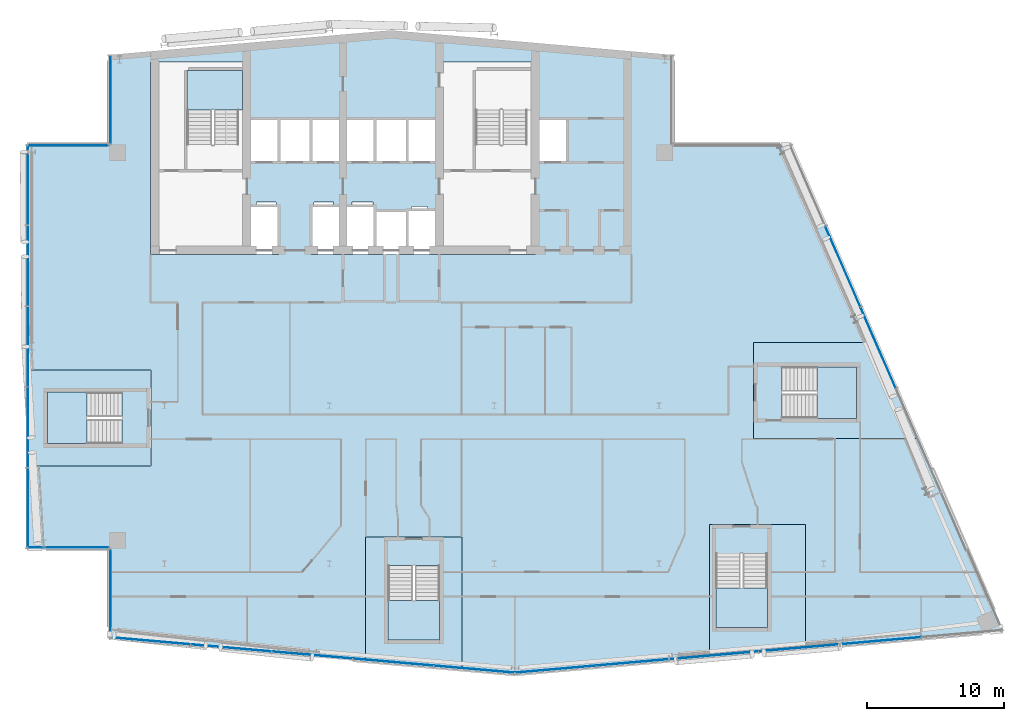
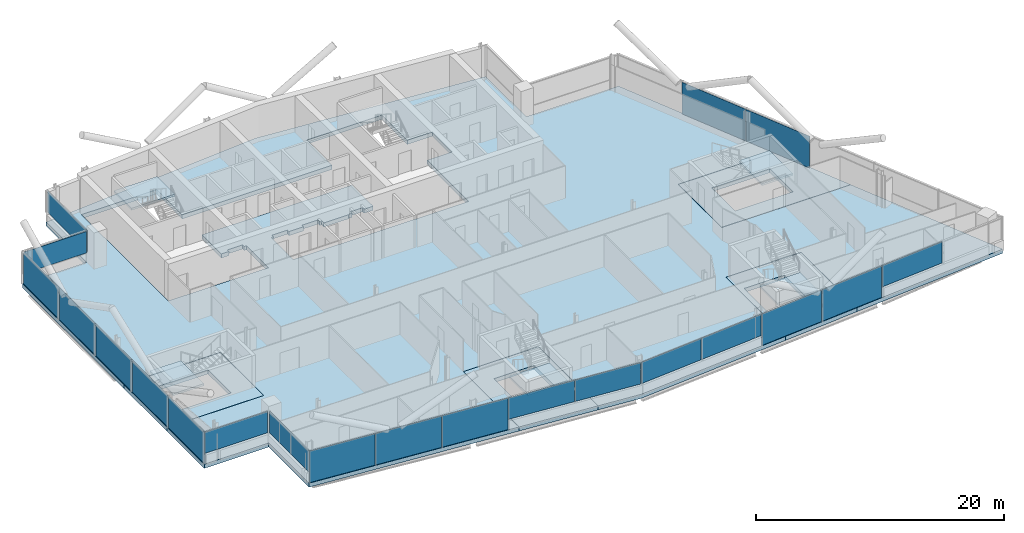
# One storey, part 13 of 27: 21 plates, 10 slabs, 13 elements without a shape of their own.
"""IFC4 building model written with IfcOpenShell, lengths in metres."""

from ifc_helpers import new_model, si_unit, direction, frame, origin, origin_2d, place, context, subcontext, project, spatial, polyline, rectangle, outline, extrude, material, layer, layer_set, type_object, element, aggregate, save


model = new_model("IFC4")

# Units and contexts
model_context = context("Model", 3, precision=1e-05, world=origin(), true_north=direction((0.0, 1.0)))
body_context = subcontext(model_context, "Body", "Model", "MODEL_VIEW")
ifc_project = project(units=[si_unit("LENGTHUNIT", "METRE"), si_unit("AREAUNIT", "SQUARE_METRE"), si_unit("VOLUMEUNIT", "CUBIC_METRE"), si_unit("PLANEANGLEUNIT", "RADIAN"), si_unit("MASSUNIT", "GRAM", prefix="KILO")], contexts=[model_context])

# Site, building, storey
site_placement = place(None, origin())
site = spatial("IfcSite", under=ifc_project, at=site_placement, CompositionType="ELEMENT")
building_placement = place(site_placement, origin())
building = spatial("IfcBuilding", under=site, at=building_placement, Name="Wharfspan Tower", CompositionType="ELEMENT")
storey_placement = place(building_placement, frame((0.0, 0.0, 243.100098)))
storey = spatial("IfcBuildingStorey", under=building, at=storey_placement, Name="L61", CompositionType="ELEMENT", Elevation=243.100098)

# Curtain wall, plates
ifc_material_1 = material(Name="Aluminium 6063-T6", Category="aluminium")
curtain_wall_type_1 = type_object("IfcCurtainWallType", Name="CURTAIN WALL FACETED FRONT", PredefinedType="NOTDEFINED", material=ifc_material_1)
curtain_wall_1_placement = place(storey_placement, origin())
curtain_wall_1 = element("IfcCurtainWall", 1, at=curtain_wall_1_placement, inside=storey, type_object=curtain_wall_type_1, Name="Curtain wall S1", PredefinedType="NOTDEFINED")
ifc_material_2 = material(Name="Glass clear low-iron double glazing", Category="glass")
ifc_layer_1 = layer(ifc_material_2, 0.040039)
ifc_layer_set_1 = layer_set([ifc_layer_1], Name="Glass clear low-iron double glazing")
plate_type_1 = type_object("IfcPlateType", Name="GLASS PANEL FACETED FRONT 40", PredefinedType="CURTAIN_PANEL", material=ifc_layer_set_1)
plate_1_placement = place(storey_placement, frame((40.655273, 4.328125, 0.999756), z_axis=(0.0, 0.0, 1.0), x_axis=(0.996197, -0.087156, 0.0)))
plate_1 = element("IfcPlate", 2, at=plate_1_placement, type_object=plate_type_1, Name="Curtain wall S1 panel 4", PredefinedType="CURTAIN_PANEL", context=body_context, shape_type="SweptSolid", body=[
    extrude(rectangle(XDim=5.862549, YDim=0.040039, at=origin_2d()), origin(), (0.0, 0.0, 1.0), 2.120117),
])
plate_2_placement = place(storey_placement, frame((46.540283, 3.813232, 0.999756), z_axis=(0.0, 0.0, 1.0), x_axis=(0.996197, -0.087156, 0.0)))
plate_2 = element("IfcPlate", 3, at=plate_2_placement, type_object=plate_type_1, Name="Curtain wall S1 panel 5", PredefinedType="CURTAIN_PANEL", context=body_context, shape_type="SweptSolid", body=[
    extrude(rectangle(XDim=5.83252, YDim=0.040039, at=origin_2d()), origin(), (0.0, 0.0, 1.0), 2.120117),
])

curtain_wall_2_placement = place(storey_placement, origin())
curtain_wall_2 = element("IfcCurtainWall", 4, at=curtain_wall_2_placement, inside=storey, type_object=curtain_wall_type_1, Name="Curtain wall S2", PredefinedType="NOTDEFINED")
plate_3_placement = place(storey_placement, frame((52.468018, 3.813965, 0.999756), z_axis=(0.0, 0.0, 1.0), x_axis=(0.996197, 0.087156, 0.0)))
plate_3 = element("IfcPlate", 5, at=plate_3_placement, type_object=plate_type_1, Name="Curtain wall S2 panel 1", PredefinedType="CURTAIN_PANEL", context=body_context, shape_type="SweptSolid", body=[
    extrude(rectangle(XDim=5.849365, YDim=0.040039, at=origin_2d()), origin(), (0.0, 0.0, 1.0), 2.120117),
])
plate_4_placement = place(storey_placement, frame((58.369873, 4.330322, 0.999756), z_axis=(0.0, 0.0, 1.0), x_axis=(0.996197, 0.087156, 0.0)))
plate_4 = element("IfcPlate", 6, at=plate_4_placement, type_object=plate_type_1, Name="Curtain wall S2 panel 2", PredefinedType="CURTAIN_PANEL", context=body_context, shape_type="SweptSolid", body=[
    extrude(rectangle(XDim=5.87915, YDim=0.040039, at=origin_2d()), origin(), (0.0, 0.0, 1.0), 2.120117),
])
plate_5_placement = place(storey_placement, frame((76.119873, 5.883301, 0.999756), z_axis=(0.0, 0.0, 1.0), x_axis=(0.996197, 0.087156, 0.0)))
plate_5 = element("IfcPlate", 7, at=plate_5_placement, type_object=plate_type_1, Name="Curtain wall S2 panel 5", PredefinedType="CURTAIN_PANEL", context=body_context, shape_type="SweptSolid", body=[
    extrude(rectangle(XDim=5.87915, YDim=0.040039, at=origin_2d()), origin(), (0.0, 0.0, 1.0), 2.120117),
])

# Curtain wall, plate
curtain_wall_type_2 = type_object("IfcCurtainWallType", Name="CURTAIN WALL PROW AND END", PredefinedType="NOTDEFINED", material=ifc_material_1)
curtain_wall_3_placement = place(storey_placement, origin())
curtain_wall_3 = element("IfcCurtainWall", 8, at=curtain_wall_3_placement, inside=storey, type_object=curtain_wall_type_2, Name="Curtain wall NRW-V", PredefinedType="NOTDEFINED")
ifc_layer_2 = layer(ifc_material_2, 0.040039)
ifc_layer_set_2 = layer_set([ifc_layer_2], Name="Glass clear low-iron double glazing")
plate_type_2 = type_object("IfcPlateType", Name="GLASS PANEL PROW AND END 40", PredefinedType="CURTAIN_PANEL", material=ifc_layer_set_2)
plate_6_placement = place(storey_placement, frame((20.080078, 45.262451, 0.999756), z_axis=(0.0, 0.0, 1.0), x_axis=(0.0, -1.0, 0.0)))
plate_6 = element("IfcPlate", 9, at=plate_6_placement, type_object=plate_type_2, Name="Curtain wall NRW-V panel 1", PredefinedType="CURTAIN_PANEL", context=body_context, shape_type="SweptSolid", body=[
    extrude(rectangle(XDim=6.405029, YDim=0.040039, at=origin_2d()), origin(), (0.0, 0.0, 1.0), 2.120117),
])
aggregate(curtain_wall_3, [plate_6])

curtain_wall_4_placement = place(storey_placement, origin())
curtain_wall_4 = element("IfcCurtainWall", 10, at=curtain_wall_4_placement, inside=storey, type_object=curtain_wall_type_2, Name="Curtain wall NRW-H", PredefinedType="NOTDEFINED")
plate_7_placement = place(storey_placement, frame((17.0, 41.919922, 0.999756), z_axis=(0.0, 0.0, 1.0), x_axis=(-1.0, 0.0, 0.0)))
plate_7 = element("IfcPlate", 11, at=plate_7_placement, type_object=plate_type_2, Name="Curtain wall NRW-H panel 1", PredefinedType="CURTAIN_PANEL", context=body_context, shape_type="SweptSolid", body=[
    extrude(rectangle(XDim=5.879883, YDim=0.040039, at=origin_2d()), origin(), (0.0, 0.0, 1.0), 2.120117),
])
aggregate(curtain_wall_4, [plate_7])

curtain_wall_5_placement = place(storey_placement, origin())
curtain_wall_5 = element("IfcCurtainWall", 12, at=curtain_wall_5_placement, inside=storey, type_object=curtain_wall_type_2, Name="Curtain wall NFW-H", PredefinedType="NOTDEFINED")
plate_8_placement = place(storey_placement, frame((17.0, 12.679932, 0.999756), z_axis=(0.0, 0.0, 1.0), x_axis=(1.0, 0.0, 0.0)))
plate_8 = element("IfcPlate", 13, at=plate_8_placement, type_object=plate_type_2, Name="Curtain wall NFW-H panel 1", PredefinedType="CURTAIN_PANEL", context=body_context, shape_type="SweptSolid", body=[
    extrude(rectangle(XDim=5.879883, YDim=0.040039, at=origin_2d()), origin(), (0.0, 0.0, 1.0), 2.120117),
])
aggregate(curtain_wall_5, [plate_8])

curtain_wall_6_placement = place(storey_placement, origin())
curtain_wall_6 = element("IfcCurtainWall", 14, at=curtain_wall_6_placement, inside=storey, type_object=curtain_wall_type_2, Name="Curtain wall NFW-V", PredefinedType="NOTDEFINED")
plate_9_placement = place(storey_placement, frame((20.080078, 9.337646, 0.999756), z_axis=(0.0, 0.0, 1.0), x_axis=(0.0, -1.0, 0.0)))
plate_9 = element("IfcPlate", 15, at=plate_9_placement, type_object=plate_type_2, Name="Curtain wall NFW-V panel 1", PredefinedType="CURTAIN_PANEL", context=body_context, shape_type="SweptSolid", body=[
    extrude(rectangle(XDim=6.405029, YDim=0.040039, at=origin_2d()), origin(), (0.0, 0.0, 1.0), 2.120117),
])
aggregate(curtain_wall_6, [plate_9])

# Plate
ifc_material_3 = material(Name="Aluminium composite opaque insulated panel", Category="aluminium")
ifc_layer_3 = layer(ifc_material_3, 0.040039)
ifc_layer_set_3 = layer_set([ifc_layer_3], Name="Aluminium composite opaque insulated panel")
plate_type_3 = type_object("IfcPlateType", Name="INFILL PANEL FACETED FRONT OPAQUE 40", PredefinedType="SHEET", material=ifc_layer_set_3)
plate_10_placement = place(storey_placement, frame((22.970215, 5.875488, -0.000244), z_axis=(0.0, 0.0, 1.0), x_axis=(0.996197, -0.087156, 0.0)))
plate_10 = element("IfcPlate", 16, at=plate_10_placement, type_object=plate_type_3, Name="Curtain wall S1 panel 1", PredefinedType="SHEET", context=body_context, shape_type="SweptSolid", body=[
    extrude(rectangle(XDim=5.83252, YDim=0.040039, at=origin_2d()), origin(), (0.0, 0.0, 1.0), 3.120117),
])

plate_11_placement = place(storey_placement, frame((28.855225, 5.360596, -0.000244), z_axis=(0.0, 0.0, 1.0), x_axis=(0.996197, -0.087156, 0.0)))
plate_11 = element("IfcPlate", 17, at=plate_11_placement, type_object=plate_type_3, Name="Curtain wall S1 panel 2", PredefinedType="SHEET", context=body_context, shape_type="SweptSolid", body=[
    extrude(rectangle(XDim=5.862549, YDim=0.040039, at=origin_2d()), origin(), (0.0, 0.0, 1.0), 3.120117),
])

plate_12_placement = place(storey_placement, frame((34.755127, 4.844482, -0.000244), z_axis=(0.0, 0.0, 1.0), x_axis=(0.996197, -0.087156, 0.0)))
plate_12 = element("IfcPlate", 18, at=plate_12_placement, type_object=plate_type_3, Name="Curtain wall S1 panel 3", PredefinedType="SHEET", context=body_context, shape_type="SweptSolid", body=[
    extrude(rectangle(XDim=5.862549, YDim=0.040039, at=origin_2d()), origin(), (0.0, 0.0, 1.0), 3.120117),
])

aggregate(curtain_wall_1, [plate_10, plate_11, plate_12, plate_1, plate_2])

plate_13_placement = place(storey_placement, frame((64.286377, 4.848145, -0.000244), z_axis=(0.0, 0.0, 1.0), x_axis=(0.996197, 0.087156, 0.0)))
plate_13 = element("IfcPlate", 19, at=plate_13_placement, type_object=plate_type_3, Name="Curtain wall S2 panel 3", PredefinedType="SHEET", context=body_context, shape_type="SweptSolid", body=[
    extrude(rectangle(XDim=5.87915, YDim=0.040039, at=origin_2d()), origin(), (0.0, 0.0, 1.0), 3.120117),
])

plate_14_placement = place(storey_placement, frame((70.203125, 5.365723, -0.000244), z_axis=(0.0, 0.0, 1.0), x_axis=(0.996197, 0.087156, 0.0)))
plate_14 = element("IfcPlate", 20, at=plate_14_placement, type_object=plate_type_3, Name="Curtain wall S2 panel 4", PredefinedType="SHEET", context=body_context, shape_type="SweptSolid", body=[
    extrude(rectangle(XDim=5.87915, YDim=0.040039, at=origin_2d()), origin(), (0.0, 0.0, 1.0), 3.120117),
])

aggregate(curtain_wall_2, [plate_3, plate_4, plate_13, plate_14, plate_5])

# Curtain wall, plates
curtain_wall_7_placement = place(storey_placement, origin())
curtain_wall_7 = element("IfcCurtainWall", 21, at=curtain_wall_7_placement, inside=storey, type_object=curtain_wall_type_2, Name="Curtain wall E", PredefinedType="NOTDEFINED")
ifc_layer_4 = layer(ifc_material_3, 0.040039)
ifc_layer_set_4 = layer_set([ifc_layer_4], Name="Aluminium composite opaque insulated panel")
plate_type_4 = type_object("IfcPlateType", Name="INFILL PANEL PROW AND END OPAQUE 40", PredefinedType="SHEET", material=ifc_layer_set_4)
plate_15_placement = place(storey_placement, frame((75.948486, 27.218018, -0.000244), z_axis=(0.0, 0.0, 1.0), x_axis=(-0.398727, 0.917072, 0.0)))
plate_15 = element("IfcPlate", 22, at=plate_15_placement, type_object=plate_type_4, Name="Curtain wall E panel 4", PredefinedType="SHEET", context=body_context, shape_type="SweptSolid", body=[
    extrude(rectangle(XDim=6.373535, YDim=0.040039, at=origin_2d()), origin(), (0.0, 0.0, 1.0), 3.120117),
])
plate_16_placement = place(storey_placement, frame((73.383057, 33.118164, -0.000244), z_axis=(0.0, 0.0, 1.0), x_axis=(-0.398727, 0.917072, 0.0)))
plate_16 = element("IfcPlate", 23, at=plate_16_placement, type_object=plate_type_4, Name="Curtain wall E panel 5", PredefinedType="SHEET", context=body_context, shape_type="SweptSolid", body=[
    extrude(rectangle(XDim=6.373535, YDim=0.040039, at=origin_2d()), origin(), (0.0, 0.0, 1.0), 3.120117),
])
aggregate(curtain_wall_7, [plate_15, plate_16])

curtain_wall_8_placement = place(storey_placement, origin())
curtain_wall_8 = element("IfcCurtainWall", 24, at=curtain_wall_8_placement, inside=storey, type_object=curtain_wall_type_2, Name="Curtain wall W", PredefinedType="NOTDEFINED")
plate_17_placement = place(storey_placement, frame((14.080078, 39.044922, -0.000244), z_axis=(0.0, 0.0, 1.0), x_axis=(0.0, -1.0, 0.0)))
plate_17 = element("IfcPlate", 25, at=plate_17_placement, type_object=plate_type_4, Name="Curtain wall W panel 1", PredefinedType="SHEET", context=body_context, shape_type="SweptSolid", body=[
    extrude(rectangle(XDim=5.790039, YDim=0.040039, at=origin_2d()), origin(), (0.0, 0.0, 1.0), 3.120117),
])
plate_18_placement = place(storey_placement, frame((14.080078, 33.179932, -0.000244), z_axis=(0.0, 0.0, 1.0), x_axis=(0.0, -1.0, 0.0)))
plate_18 = element("IfcPlate", 26, at=plate_18_placement, type_object=plate_type_4, Name="Curtain wall W panel 2", PredefinedType="SHEET", context=body_context, shape_type="SweptSolid", body=[
    extrude(rectangle(XDim=5.820068, YDim=0.040039, at=origin_2d()), origin(), (0.0, 0.0, 1.0), 3.120117),
])
plate_19_placement = place(storey_placement, frame((14.080078, 27.300049, -0.000244), z_axis=(0.0, 0.0, 1.0), x_axis=(0.0, -1.0, 0.0)))
plate_19 = element("IfcPlate", 27, at=plate_19_placement, type_object=plate_type_4, Name="Curtain wall W panel 3", PredefinedType="SHEET", context=body_context, shape_type="SweptSolid", body=[
    extrude(rectangle(XDim=5.820068, YDim=0.040039, at=origin_2d()), origin(), (0.0, 0.0, 1.0), 3.120117),
])
plate_20_placement = place(storey_placement, frame((14.080078, 21.419922, -0.000244), z_axis=(0.0, 0.0, 1.0), x_axis=(0.0, -1.0, 0.0)))
plate_20 = element("IfcPlate", 28, at=plate_20_placement, type_object=plate_type_4, Name="Curtain wall W panel 4", PredefinedType="SHEET", context=body_context, shape_type="SweptSolid", body=[
    extrude(rectangle(XDim=5.820068, YDim=0.040039, at=origin_2d()), origin(), (0.0, 0.0, 1.0), 3.120117),
])
plate_21_placement = place(storey_placement, frame((14.080078, 15.554932, -0.000244), z_axis=(0.0, 0.0, 1.0), x_axis=(0.0, -1.0, 0.0)))
plate_21 = element("IfcPlate", 29, at=plate_21_placement, type_object=plate_type_4, Name="Curtain wall W panel 5", PredefinedType="SHEET", context=body_context, shape_type="SweptSolid", body=[
    extrude(rectangle(XDim=5.790039, YDim=0.040039, at=origin_2d()), origin(), (0.0, 0.0, 1.0), 3.120117),
])
aggregate(curtain_wall_8, [plate_17, plate_18, plate_19, plate_20, plate_21])

# Slabs
ifc_material_4 = material(Name="Concrete C40/50", Category="concrete")
ifc_layer_5 = layer(ifc_material_4, 0.399902)
ifc_layer_set_5 = layer_set([ifc_layer_5], Name="Concrete C40/50")
slab_type_1 = type_object("IfcSlabType", Name="Post-tensioned flat slab 400", PredefinedType="FLOOR", material=ifc_layer_set_5)
slab_1_placement = place(storey_placement, frame((0.0, 0.0, -0.400146)))
element("IfcSlab", 30, at=slab_1_placement, inside=storey, type_object=slab_type_1, Name="Floor slab L61", PredefinedType="FLOOR", context=body_context, shape_type="SweptSolid", body=[
    extrude(outline(polyline([(38.64209, 4.444092), (38.64209, 13.453125), (45.662109, 13.453125), (45.662109, 3.829834), (49.5, 3.494141), (63.658691, 4.73291), (63.658691, 14.356201), (70.678711, 14.356201), (70.678711, 5.347168), (85.0, 6.600098), (78.91748, 20.590088), (66.859619, 20.590088), (66.859619, 27.610107), (75.865234, 27.610107), (69.608643, 42.0), (61.0, 42.0), (61.0, 48.524902), (40.5, 50.318359), (20.0, 48.524902), (20.0, 42.0), (14.0, 42.0), (14.0, 25.610107), (23.01001, 25.610107), (23.01001, 18.590088), (14.0, 18.590088), (14.0, 12.600098), (20.0, 12.600098), (20.0, 6.075195), (38.64209, 4.444092)]), holes=[polyline([(32.126709, 37.560059), (32.343262, 37.560059), (32.343262, 33.98999), (22.98999, 33.98999), (22.98999, 48.01001), (30.01001, 48.01001), (30.01001, 43.909912), (43.98999, 43.909912), (43.98999, 48.01001), (51.01001, 48.01001), (51.01001, 43.909912), (53.343262, 43.909912), (53.343262, 40.689941), (51.01001, 40.689941), (51.01001, 33.98999), (34.656738, 33.98999), (34.656738, 37.560059), (34.873291, 37.560059), (34.873291, 37.810059), (36.293213, 37.810059), (36.293213, 37.560059), (37.666748, 37.560059), (37.666748, 37.810059), (39.166748, 37.810059), (39.166748, 37.560059), (39.343262, 37.560059), (39.343262, 37.209961), (41.656738, 37.209961), (41.656738, 37.26001), (42.023193, 37.26001), (42.023193, 37.51001), (43.143311, 37.51001), (43.143311, 37.26001), (43.98999, 37.26001), (43.98999, 40.689941), (30.01001, 40.689941), (30.01001, 37.560059), (30.706787, 37.560059), (30.706787, 37.810059), (32.126709, 37.810059), (32.126709, 37.560059)])]), origin(), (0.0, 0.0, 1.0), 0.400146),
])
slab_2_placement = place(storey_placement, frame((0.0, 0.0, -0.400146)))
element("IfcSlab", 31, at=slab_2_placement, inside=storey, type_object=slab_type_1, Name="Core floor slab L61 part 1", PredefinedType="FLOOR", context=body_context, shape_type="SweptSolid", body=[
    extrude(outline(polyline([(23.0, 19.925049), (23.0, 24.274902), (23.0, 25.600098), (14.0, 25.600098), (14.0, 18.600098), (23.0, 18.600098), (23.0, 19.925049)]), holes=[polyline([(20.899902, 23.977051), (20.900146, 23.977051), (20.900391, 23.977051), (20.900635, 23.976807), (20.900879, 23.976807), (20.900879, 23.976807), (20.901123, 23.976807), (20.901367, 23.976562), (20.901367, 23.976318), (20.901611, 23.976318), (20.901611, 23.976074), (20.901855, 23.97583), (20.901855, 23.97583), (20.901855, 23.975586), (20.9021, 23.975342), (20.9021, 23.975098), (20.9021, 23.975098), (20.9021, 20.225098), (20.9021, 20.224854), (20.9021, 20.224609), (20.901855, 20.224365), (20.901855, 20.224121), (20.901855, 20.224121), (20.901611, 20.223877), (20.901611, 20.223633), (20.901367, 20.223633), (20.901367, 20.223389), (20.901123, 20.223389), (20.900879, 20.223145), (20.900879, 20.223145), (20.900635, 20.223145), (20.900391, 20.2229), (20.900146, 20.2229), (20.899902, 20.2229), (15.5, 20.2229), (15.499756, 20.2229), (15.499512, 20.2229), (15.499512, 20.223145), (15.499268, 20.223145), (15.499023, 20.223145), (15.498779, 20.223389), (15.498779, 20.223389), (15.498535, 20.223633), (15.498535, 20.223633), (15.498291, 20.223877), (15.498291, 20.224121), (15.498291, 20.224121), (15.498047, 20.224365), (15.498047, 20.224609), (15.498047, 20.224854), (15.498047, 20.225098), (15.498047, 23.975098), (15.498047, 23.975098), (15.498047, 23.975342), (15.498047, 23.975586), (15.498291, 23.97583), (15.498291, 23.97583), (15.498291, 23.976074), (15.498535, 23.976318), (15.498535, 23.976318), (15.498779, 23.976562), (15.498779, 23.976807), (15.499023, 23.976807), (15.499268, 23.976807), (15.499512, 23.976807), (15.499512, 23.977051), (15.499756, 23.977051), (15.5, 23.977051), (20.899902, 23.977051)])]), origin(), (0.0, 0.0, 1.0), 0.400146),
])
slab_3_placement = place(storey_placement, frame((0.0, 0.0, -0.400146)))
element("IfcSlab", 32, at=slab_3_placement, inside=storey, type_object=slab_type_1, Name="Core floor slab L61 part 3", PredefinedType="FLOOR", context=body_context, shape_type="SweptSolid", body=[
    extrude(outline(polyline([(44.327148, 13.443115), (39.977051, 13.443115), (38.6521, 13.443115), (38.6521, 4.443115), (45.6521, 3.830811), (45.6521, 13.443115), (44.327148, 13.443115)]), holes=[polyline([(40.275146, 11.343262), (40.275146, 11.343506), (40.275146, 11.343506), (40.275146, 11.34375), (40.275391, 11.343994), (40.275391, 11.344238), (40.275391, 11.344238), (40.275635, 11.344482), (40.275635, 11.344482), (40.275879, 11.344727), (40.275879, 11.344971), (40.276123, 11.344971), (40.276367, 11.345215), (40.276611, 11.345215), (40.276611, 11.345215), (40.276855, 11.345215), (40.2771, 11.345215), (44.0271, 11.345215), (44.027344, 11.345215), (44.027588, 11.345215), (44.027588, 11.345215), (44.027832, 11.345215), (44.028076, 11.344971), (44.02832, 11.344971), (44.02832, 11.344727), (44.028564, 11.344482), (44.028809, 11.344482), (44.028809, 11.344238), (44.028809, 11.344238), (44.029053, 11.343994), (44.029053, 11.34375), (44.029053, 11.343506), (44.029053, 11.343506), (44.029053, 11.343262), (44.029053, 5.943115), (44.029053, 5.943115), (44.029053, 5.942871), (44.029053, 5.942627), (44.029053, 5.942383), (44.028809, 5.942383), (44.028809, 5.942139), (44.028809, 5.941895), (44.028564, 5.941895), (44.02832, 5.94165), (44.02832, 5.94165), (44.028076, 5.941406), (44.027832, 5.941406), (44.027588, 5.941406), (44.027588, 5.941406), (44.027344, 5.941162), (44.0271, 5.941162), (40.2771, 5.941162), (40.276855, 5.941162), (40.276611, 5.941406), (40.276611, 5.941406), (40.276367, 5.941406), (40.276123, 5.941406), (40.275879, 5.94165), (40.275879, 5.94165), (40.275635, 5.941895), (40.275635, 5.941895), (40.275391, 5.942139), (40.275391, 5.942383), (40.275391, 5.942383), (40.275146, 5.942627), (40.275146, 5.942871), (40.275146, 5.943115), (40.275146, 5.943115), (40.275146, 11.343262)])]), origin(), (0.0, 0.0, 1.0), 0.400146),
])
slab_4_placement = place(storey_placement, frame((0.0, 0.0, -0.400146)))
element("IfcSlab", 33, at=slab_4_placement, inside=storey, type_object=slab_type_1, Name="Core floor slab L61 part 4", PredefinedType="FLOOR", context=body_context, shape_type="SweptSolid", body=[
    extrude(outline(polyline([(70.668701, 14.346191), (68.193848, 14.346191), (63.84375, 14.346191), (63.668701, 14.346191), (63.668701, 4.733887), (70.668701, 5.346191), (70.668701, 14.346191)]), holes=[polyline([(64.141846, 12.246094), (64.141846, 12.246338), (64.141846, 12.246582), (64.141846, 12.246826), (64.14209, 12.246826), (64.14209, 12.24707), (64.14209, 12.247314), (64.142334, 12.247559), (64.142334, 12.247559), (64.142578, 12.247803), (64.142578, 12.247803), (64.142822, 12.247803), (64.143066, 12.248047), (64.143311, 12.248047), (64.143311, 12.248047), (64.143555, 12.248291), (64.143799, 12.248291), (67.893799, 12.248291), (67.894043, 12.248291), (67.894287, 12.248047), (67.894287, 12.248047), (67.894531, 12.248047), (67.894775, 12.247803), (67.89502, 12.247803), (67.89502, 12.247803), (67.895264, 12.247559), (67.895508, 12.247559), (67.895508, 12.247314), (67.895508, 12.24707), (67.895752, 12.246826), (67.895752, 12.246826), (67.895752, 12.246582), (67.895752, 12.246338), (67.895752, 12.246094), (67.895752, 6.846191), (67.895752, 6.845947), (67.895752, 6.845703), (67.895752, 6.845703), (67.895752, 6.845459), (67.895508, 6.845215), (67.895508, 6.845215), (67.895508, 6.844971), (67.895264, 6.844727), (67.89502, 6.844482), (67.89502, 6.844482), (67.894775, 6.844482), (67.894531, 6.844238), (67.894287, 6.844238), (67.894287, 6.844238), (67.894043, 6.844238), (67.893799, 6.844238), (64.143799, 6.844238), (64.143555, 6.844238), (64.143311, 6.844238), (64.143311, 6.844238), (64.143066, 6.844238), (64.142822, 6.844482), (64.142578, 6.844482), (64.142578, 6.844482), (64.142334, 6.844727), (64.142334, 6.844971), (64.14209, 6.845215), (64.14209, 6.845215), (64.14209, 6.845459), (64.141846, 6.845703), (64.141846, 6.845703), (64.141846, 6.845947), (64.141846, 6.846191), (64.141846, 12.246094)])]), origin(), (0.0, 0.0, 1.0), 0.400146),
])
slab_5_placement = place(storey_placement, frame((0.0, 0.0, -0.400146)))
element("IfcSlab", 34, at=slab_5_placement, inside=storey, type_object=slab_type_1, Name="Core floor slab L61 part 5", PredefinedType="FLOOR", context=body_context, shape_type="SweptSolid", body=[
    extrude(outline(polyline([(75.869629, 27.600098), (66.869629, 27.600098), (66.869629, 26.125), (66.869629, 21.774902), (66.869629, 20.600098), (78.913086, 20.600098), (75.869629, 27.600098)]), holes=[polyline([(68.967529, 25.824951), (68.967529, 25.825195), (68.967529, 25.825439), (68.967773, 25.825684), (68.967773, 25.825684), (68.967773, 25.825928), (68.968018, 25.826172), (68.968018, 25.826416), (68.968262, 25.826416), (68.968262, 25.826416), (68.968506, 25.82666), (68.968506, 25.826904), (68.96875, 25.826904), (68.968994, 25.826904), (68.969238, 25.826904), (68.969482, 25.826904), (68.969482, 25.826904), (74.369629, 25.826904), (74.369873, 25.826904), (74.370117, 25.826904), (74.370117, 25.826904), (74.370361, 25.826904), (74.370605, 25.826904), (74.370605, 25.82666), (74.37085, 25.826416), (74.371094, 25.826416), (74.371094, 25.826416), (74.371094, 25.826172), (74.371338, 25.825928), (74.371338, 25.825684), (74.371582, 25.825684), (74.371582, 25.825439), (74.371582, 25.825195), (74.371582, 25.824951), (74.371582, 22.074951), (74.371582, 22.074707), (74.371582, 22.074707), (74.371582, 22.074463), (74.371338, 22.074219), (74.371338, 22.074219), (74.371094, 22.073975), (74.371094, 22.07373), (74.371094, 22.073486), (74.37085, 22.073486), (74.370605, 22.073242), (74.370605, 22.073242), (74.370361, 22.073242), (74.370117, 22.072998), (74.370117, 22.072998), (74.369873, 22.072998), (74.369629, 22.072998), (68.969482, 22.072998), (68.969482, 22.072998), (68.969238, 22.072998), (68.968994, 22.072998), (68.96875, 22.073242), (68.968506, 22.073242), (68.968506, 22.073242), (68.968262, 22.073486), (68.968262, 22.073486), (68.968018, 22.07373), (68.968018, 22.073975), (68.967773, 22.074219), (68.967773, 22.074219), (68.967773, 22.074463), (68.967529, 22.074707), (68.967529, 22.074707), (68.967529, 22.074951), (68.967529, 25.824951)])]), origin(), (0.0, 0.0, 1.0), 0.400146),
])

# Stair, slab
stair_type = type_object("IfcStairType", Name="Half-turn stair 20 risers 180 mm", PredefinedType="HALF_TURN_STAIR", material=ifc_material_4)
stair_1_placement = place(storey_placement, origin())
stair_1 = element("IfcStair", 35, at=stair_1_placement, inside=storey, type_object=stair_type, Name="L61 stair ST1", PredefinedType="HALF_TURN_STAIR")
ifc_layer_6 = layer(ifc_material_4, 0.199951)
ifc_layer_set_6 = layer_set([ifc_layer_6], Name="Concrete C40/50")
slab_type_2 = type_object("IfcSlabType", Name="Stair landing 200", PredefinedType="LANDING", material=ifc_layer_set_6)
slab_6_placement = place(storey_placement, frame((0.0, 0.0, 1.599609)))
slab_6 = element("IfcSlab", 36, at=slab_6_placement, type_object=slab_type_2, Name="ST1 landing 1", PredefinedType="LANDING", context=body_context, shape_type="SweptSolid", body=[
    extrude(outline(polyline([(25.649902, 44.52002), (29.699951, 44.52002), (29.699951, 47.399902), (25.649902, 47.399902), (25.649902, 44.52002)])), origin(), (0.0, 0.0, 1.0), 0.200195),
])
aggregate(stair_1, [slab_6])

stair_2_placement = place(storey_placement, origin())
stair_2 = element("IfcStair", 37, at=stair_2_placement, inside=storey, type_object=stair_type, Name="L61 stair ST3", PredefinedType="HALF_TURN_STAIR")
slab_7_placement = place(storey_placement, frame((0.0, 0.0, 1.599609)))
slab_7 = element("IfcSlab", 38, at=slab_7_placement, type_object=slab_type_2, Name="ST3 landing 1", PredefinedType="LANDING", context=body_context, shape_type="SweptSolid", body=[
    extrude(outline(polyline([(18.379883, 23.975098), (15.5, 23.975098), (15.5, 20.225098), (18.379883, 20.225098), (18.379883, 23.975098)])), origin(), (0.0, 0.0, 1.0), 0.200195),
])
aggregate(stair_2, [slab_7])

stair_3_placement = place(storey_placement, origin())
stair_3 = element("IfcStair", 39, at=stair_3_placement, inside=storey, type_object=stair_type, Name="L61 stair ST4", PredefinedType="HALF_TURN_STAIR")
slab_8_placement = place(storey_placement, frame((0.0, 0.0, 1.599609)))
slab_8 = element("IfcSlab", 40, at=slab_8_placement, type_object=slab_type_2, Name="ST4 landing 1", PredefinedType="LANDING", context=body_context, shape_type="SweptSolid", body=[
    extrude(outline(polyline([(40.2771, 8.823242), (40.2771, 5.943115), (44.0271, 5.943115), (44.0271, 8.823242), (40.2771, 8.823242)])), origin(), (0.0, 0.0, 1.0), 0.200195),
])
aggregate(stair_3, [slab_8])

stair_4_placement = place(storey_placement, origin())
stair_4 = element("IfcStair", 41, at=stair_4_placement, inside=storey, type_object=stair_type, Name="L61 stair ST5", PredefinedType="HALF_TURN_STAIR")
slab_9_placement = place(storey_placement, frame((0.0, 0.0, 1.599609)))
slab_9 = element("IfcSlab", 42, at=slab_9_placement, type_object=slab_type_2, Name="ST5 landing 1", PredefinedType="LANDING", context=body_context, shape_type="SweptSolid", body=[
    extrude(outline(polyline([(64.143799, 9.726074), (64.143799, 6.846191), (67.893799, 6.846191), (67.893799, 9.726074), (64.143799, 9.726074)])), origin(), (0.0, 0.0, 1.0), 0.200195),
])
aggregate(stair_4, [slab_9])

stair_5_placement = place(storey_placement, origin())
stair_5 = element("IfcStair", 43, at=stair_5_placement, inside=storey, type_object=stair_type, Name="L61 stair ST6", PredefinedType="HALF_TURN_STAIR")
slab_10_placement = place(storey_placement, frame((0.0, 0.0, 1.599609)))
slab_10 = element("IfcSlab", 44, at=slab_10_placement, type_object=slab_type_2, Name="ST6 landing 1", PredefinedType="LANDING", context=body_context, shape_type="SweptSolid", body=[
    extrude(outline(polyline([(71.489502, 22.074951), (74.369629, 22.074951), (74.369629, 25.824951), (71.489502, 25.824951), (71.489502, 22.074951)])), origin(), (0.0, 0.0, 1.0), 0.200195),
])
aggregate(stair_5, [slab_10])

save(model, "model.ifc")
